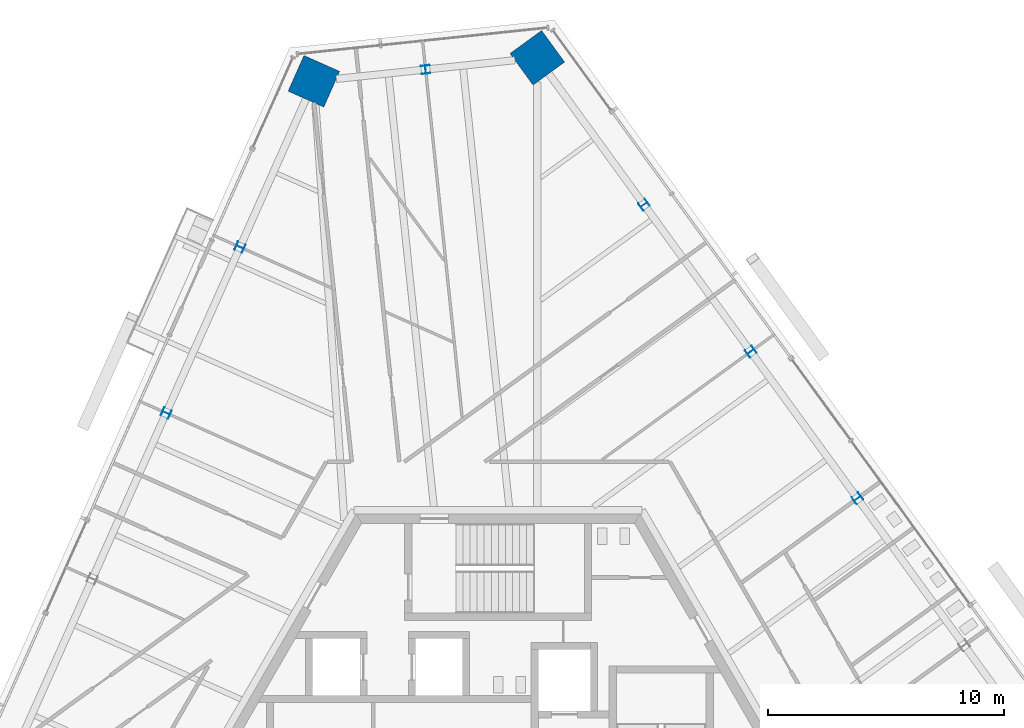
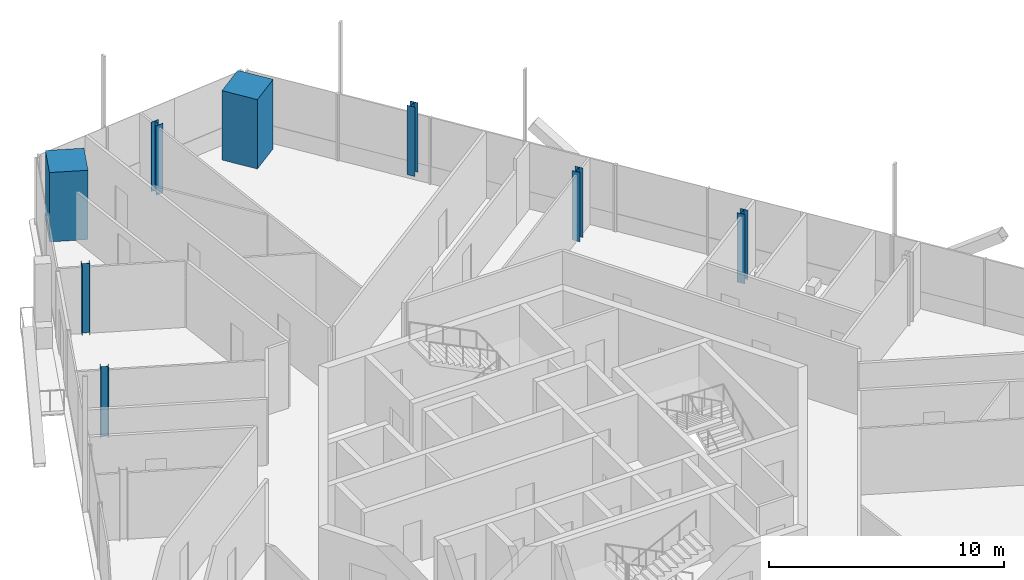
# One storey, part 3 of 21: 8 columns.
"""IFC4 building model written with IfcOpenShell, lengths in metres."""

from ifc_helpers import new_model, si_unit, direction, frame, origin, origin_2d, place, context, subcontext, project, spatial, rectangle, i_section, extrude, source, transform, mapped, material, material_profile, profile_set, type_object, element, save


model = new_model("IFC4")

# Units and contexts
model_context = context("Model", 3, precision=1e-05, world=origin(), true_north=direction((0.0, 1.0)))
body_context = subcontext(model_context, "Body", "Model", "MODEL_VIEW")
ifc_project = project(units=[si_unit("LENGTHUNIT", "METRE"), si_unit("AREAUNIT", "SQUARE_METRE"), si_unit("VOLUMEUNIT", "CUBIC_METRE"), si_unit("PLANEANGLEUNIT", "RADIAN"), si_unit("MASSUNIT", "GRAM", prefix="KILO")], contexts=[model_context])

# Site, building, storey
site_placement = place(None, origin())
site = spatial("IfcSite", under=ifc_project, at=site_placement, CompositionType="ELEMENT")
building_placement = place(site_placement, origin())
building = spatial("IfcBuilding", under=site, at=building_placement, Name="Triune Harvest Tower", CompositionType="ELEMENT")
storey_placement = place(building_placement, frame((0.0, 0.0, 241.300048828125)))
storey = spatial("IfcBuildingStorey", under=building, at=storey_placement, Name="L63", CompositionType="ELEMENT", Elevation=241.300048828125)

# Columns
ifc_material_1 = material(Name="Concrete 70 MPa", Category="concrete")
ifc_material_profile_1 = material_profile(ifc_material_1, rectangle(XDim=1.64990234375, YDim=1.64990234375, at=origin_2d()), Name="Composite 1650x1650")
ifc_profile_set_1 = profile_set([ifc_material_profile_1], Name="Concrete 70 MPa")
column_type_1 = type_object("IfcColumnType", Name="MC-6 Mega column Composite 1650x1650", PredefinedType="COLUMN", material=ifc_profile_set_1)
shared_shape_1 = source(origin(), body_context, "Body", "SweptSolid", [
    extrude(rectangle(XDim=1.64990234375, YDim=1.64990234375, at=origin_2d()), origin(), (0.0, 0.0, 1.0), 3.599853515625),
])
for number, where, z_axis, x_axis, name in (
    (1, (1.658203125, 29.681640625, 0.0), (0.0, 0.0, 1.0), (-0.587785252292, 0.809016994375, 0.0), "col/L63/M6"),
    (2, (-7.793212890625, 28.688232421875, 0.0), (0.0, 0.0, 1.0), (-0.406738237513, -0.913544747752, 0.0), "col/L63/M8"),
):
    element("IfcColumn", number, at=place(storey_placement, frame(where, z_axis=z_axis, x_axis=x_axis)), inside=storey, type_object=column_type_1, Name=name, PredefinedType="COLUMN", context=body_context, shape_type="MappedRepresentation", body=[
        mapped(shared_shape_1, transform((0.0, 0.0, 0.0), scale=1.0)),
    ])
ifc_material_2 = material(Name="Steel ASTM A992 Gr 50", Category="steel")
ifc_material_profile_2 = material_profile(ifc_material_2, i_section(OverallWidth=0.368408203125, OverallDepth=0.355712890625, WebThickness=0.01123046875, FlangeThickness=0.01806640625, at=origin_2d()), Name="W14x90")
ifc_profile_set_2 = profile_set([ifc_material_profile_2], Name="Steel ASTM A992 Gr 50")
column_type_2 = type_object("IfcColumnType", Name="PC-6 Perimeter column W14x90", PredefinedType="COLUMN", material=ifc_profile_set_2)
shared_shape_2 = source(origin(), body_context, "Body", "SweptSolid", [
    extrude(i_section(OverallWidth=0.368408203125, OverallDepth=0.355712890625, WebThickness=0.01123046875, FlangeThickness=0.01806640625, at=origin_2d()), origin(), (0.0, 0.0, 1.0), 3.599853515625),
])
for number, where, z_axis, x_axis, name in (
    (3, (15.19970703125, 11.043212890625, 0.0), (0.0, 0.0, 1.0), (-0.587785252292, 0.809016994375, 0.0), "col/L63/P3"),
    (4, (10.685791015625, 17.256103515625, 0.0), (0.0, 0.0, 1.0), (-0.587785252292, 0.809016994375, 0.0), "col/L63/P4"),
    (5, (-3.0673828125, 29.18505859375, 0.0), (0.0, 0.0, 1.0), (-0.994521895368, -0.104528463268, 0.0), "col/L63/P7"),
    (6, (-10.91650390625, 21.6728515625, 0.0), (0.0, 0.0, 1.0), (-0.406738237513, -0.913544747752, 0.0), "col/L63/P9"),
    (7, (-14.0400390625, 14.6572265625, 0.0), (0.0, 0.0, 1.0), (-0.406738237513, -0.913544747752, 0.0), "col/L63/P10"),
):
    element("IfcColumn", number, at=place(storey_placement, frame(where, z_axis=z_axis, x_axis=x_axis)), inside=storey, type_object=column_type_2, Name=name, PredefinedType="COLUMN", context=body_context, shape_type="MappedRepresentation", body=[
        mapped(shared_shape_2, transform((0.0, 0.0, 0.0), scale=1.0)),
    ])
shared_shape_3 = source(origin(), body_context, "Body", "SweptSolid", [
    extrude(i_section(OverallWidth=0.368408203125, OverallDepth=0.355712890625, WebThickness=0.01123046875, FlangeThickness=0.01806640625, at=origin_2d()), origin(), (0.0, 0.0, 1.0), 3.60009765625),
])
column_placement = place(storey_placement, frame((6.172119140625, 23.468994140625, 1.199951171875), z_axis=(0.0, 0.0, 1.0), x_axis=(-0.587785252292, 0.809016994375, 0.0)))
element("IfcColumn", 8, at=column_placement, inside=storey, type_object=column_type_2, Name="col/L63/P5", PredefinedType="COLUMN", context=body_context, shape_type="MappedRepresentation", body=[
    mapped(shared_shape_3, transform((0.0, 0.0, 0.0), scale=1.0)),
])

save(model, "model.ifc")
